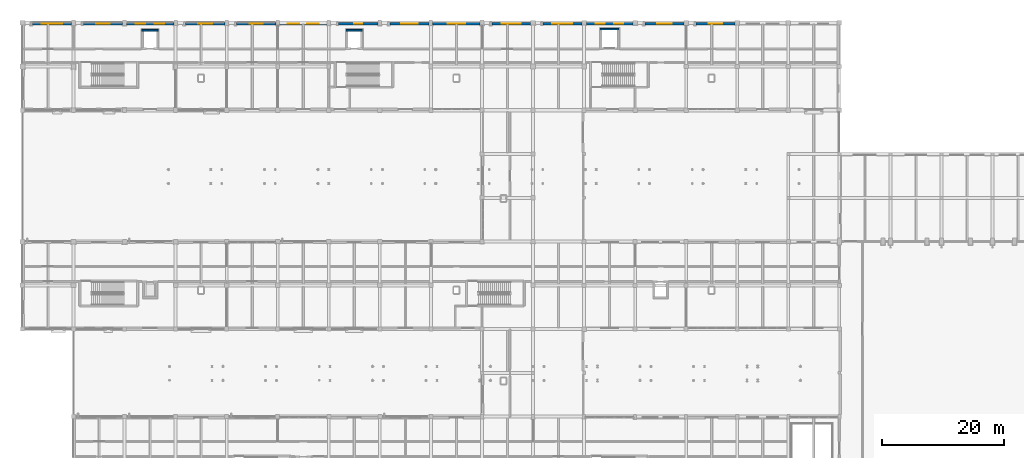
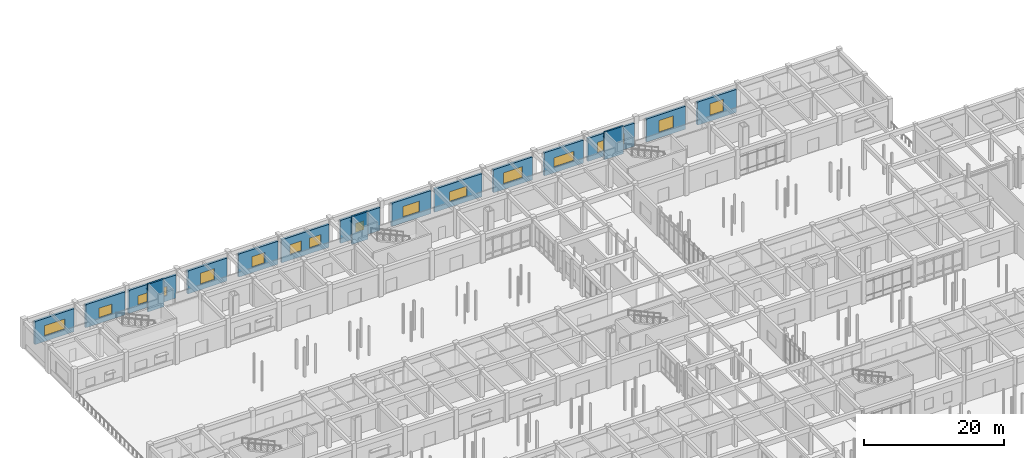
# One storey, part 89 of 121: 17 walls, 17 windows, 17 openings.
"""IFC4 building model written with IfcOpenShell, lengths in metres."""

from ifc_helpers import new_model, si_unit, direction, frame, frame_2d, origin, place, context, subcontext, project, spatial, rectangle, extrude, material, layer, layer_set, type_object, element, fill, save


model = new_model("IFC4")

# Units and contexts
model_context = context("Model", 3, precision=1e-05, world=origin(), true_north=direction((0.0, 1.0)))
body_context = subcontext(model_context, "Body", "Model", "MODEL_VIEW")
ifc_project = project(units=[si_unit("LENGTHUNIT", "METRE"), si_unit("AREAUNIT", "SQUARE_METRE"), si_unit("VOLUMEUNIT", "CUBIC_METRE"), si_unit("PLANEANGLEUNIT", "RADIAN"), si_unit("MASSUNIT", "GRAM", prefix="KILO")], contexts=[model_context])

# Site, building, storey
site_placement = place(None, origin())
site = spatial("IfcSite", under=ifc_project, at=site_placement, CompositionType="ELEMENT")
building_placement = place(site_placement, origin())
building = spatial("IfcBuilding", under=site, at=building_placement, Name="Malvenik Polytechnic", CompositionType="ELEMENT")
storey_placement = place(building_placement, origin())
storey = spatial("IfcBuildingStorey", under=building, at=storey_placement, Name="L00", CompositionType="ELEMENT", Elevation=0.0)

# Walls
ifc_material_1 = material(Name="Concrete C35/45", Category="concrete")
ifc_layer_1 = layer(ifc_material_1, 0.280029296875)
ifc_layer_set_1 = layer_set([ifc_layer_1], Name="Concrete C35/45")
wall_type_1 = type_object("IfcWallType", Name="ARC-CW-S280", PredefinedType="SHEAR", material=ifc_layer_set_1)
wall_1_placement = place(storey_placement, frame((19.659912109375, 128.35009765625, 0.0), z_axis=(0.0, 0.0, 1.0), x_axis=(1.0, 0.0, 0.0)))
element("IfcWall", 1, at=wall_1_placement, inside=storey, type_object=wall_type_1, Name="Lift Shaft Shear Wall LS-01 L00 +Y", PredefinedType="SHEAR", context=body_context, shape_type="SweptSolid", body=[
    extrude(rectangle(XDim=2.68017578125, YDim=0.280029296875, at=frame_2d((1.340087890625, 0.0))), origin(), (0.0, 0.0, 1.0), 4.820068359375),
])
wall_2_placement = place(storey_placement, frame((53.260009765625, 128.35009765625, 0.0), z_axis=(0.0, 0.0, 1.0), x_axis=(1.0, 0.0, 0.0)))
element("IfcWall", 2, at=wall_2_placement, inside=storey, type_object=wall_type_1, Name="Lift Shaft Shear Wall LS-02 L00 +Y", PredefinedType="SHEAR", context=body_context, shape_type="SweptSolid", body=[
    extrude(rectangle(XDim=2.679931640625, YDim=0.280029296875, at=frame_2d((1.33984375, 0.0))), origin(), (0.0, 0.0, 1.0), 4.820068359375),
])
wall_3_placement = place(storey_placement, frame((95.06005859375, 128.550048828125, 0.0), z_axis=(0.0, 0.0, 1.0), x_axis=(1.0, 0.0, 0.0)))
element("IfcWall", 3, at=wall_3_placement, inside=storey, type_object=wall_type_1, Name="Lift Shaft Shear Wall LG-01 L00 +Y", PredefinedType="SHEAR", context=body_context, shape_type="SweptSolid", body=[
    extrude(rectangle(XDim=3.079833984375, YDim=0.280029296875, at=frame_2d((1.5400390625, 0.0))), origin(), (0.0, 0.0, 1.0), 4.820068359375),
])

# Wall, opening, window
ifc_material_2 = material(Name="Concrete C30/37", Category="concrete")
ifc_layer_2 = layer(ifc_material_2, 0.3798828125)
ifc_layer_set_2 = layer_set([ifc_layer_2], Name="Concrete C30/37")
wall_type_2 = type_object("IfcWallType", Name="ARC-EW-380", PredefinedType="SOLIDWALL", material=ifc_layer_set_2)
wall_4_placement = place(storey_placement, frame((1.617919921875, 129.429931640625, 0.0), z_axis=(0.0, 0.0, 1.0), x_axis=(1.0, 0.0, 0.0)))
wall_4 = element("IfcWall", 4, at=wall_4_placement, inside=storey, type_object=wall_type_2, Name="External Facade Wall EW-01 L00 #83", PredefinedType="SOLIDWALL", context=body_context, shape_type="SweptSolid", body=[
    extrude(rectangle(XDim=6.484130859375, YDim=0.3798828125, at=frame_2d((3.2421875, 0.0))), origin(), (0.0, 0.0, 1.0), 4.010009765625),
])
opening_1_placement = place(wall_4_placement, frame((1.5419921875, 0.0, 0.949951171875)))
opening_1 = element("IfcOpeningElement", 5, at=opening_1_placement, cuts=wall_4, Name="Opening W-18", PredefinedType="OPENING", context=body_context, shape_type="SweptSolid", body=[
    extrude(rectangle(XDim=3.39990234375, YDim=1.800048828125, at=frame_2d((1.699951171875, 0.89990234375))), frame((0.0, 0.199951171875, 0.0), z_axis=(0.0, -1.0, 0.0), x_axis=(1.0, 0.0, 0.0)), (0.0, 0.0, 1.0), 0.39990234375),
])
ifc_material_3 = material(Name="Thermally broken aluminium frame with low-E double glazing", Category="aluminium")
window_type_1 = type_object("IfcWindowType", Name="ARC-WIN-W-18", PartitioningType="SINGLE_PANEL", PredefinedType="WINDOW", material=ifc_material_3)
window_1_placement = place(opening_1_placement, origin())
window_1 = element("IfcWindow", 6, at=window_1_placement, inside=storey, type_object=window_type_1, Name="Punched Window W-18 L00 #44", OverallHeight=1.800048828125, OverallWidth=3.39990234375, PartitioningType="SINGLE_PANEL", PredefinedType="WINDOW", context=body_context, shape_type="SweptSolid", body=[
    extrude(rectangle(XDim=3.39990234375, YDim=1.800048828125, at=frame_2d((1.699951171875, 0.89990234375))), frame((0.0, 0.030029296875, 0.0), z_axis=(0.0, -1.0, 0.0), x_axis=(1.0, 0.0, 0.0)), (0.0, 0.0, 1.0), 0.06005859375),
])
fill(opening_1, window_1)

wall_5_placement = place(storey_placement, frame((10.008056640625, 129.429931640625, 0.0), z_axis=(0.0, 0.0, 1.0), x_axis=(1.0, 0.0, 0.0)))
wall_5 = element("IfcWall", 7, at=wall_5_placement, inside=storey, type_object=wall_type_2, Name="External Facade Wall EW-01 L00 #84", PredefinedType="SOLIDWALL", context=body_context, shape_type="SweptSolid", body=[
    extrude(rectangle(XDim=6.493896484375, YDim=0.3798828125, at=frame_2d((3.2470703125, 0.0))), origin(), (0.0, 0.0, 1.0), 4.010009765625),
])
opening_2_placement = place(wall_5_placement, frame((2.14697265625, 0.0, 0.949951171875)))
opening_2 = element("IfcOpeningElement", 8, at=opening_2_placement, cuts=wall_5, Name="Opening W-19", PredefinedType="OPENING", context=body_context, shape_type="SweptSolid", body=[
    extrude(rectangle(XDim=2.199951171875, YDim=1.699951171875, at=frame_2d((1.10009765625, 0.85009765625))), frame((0.0, 0.199951171875, 0.0), z_axis=(0.0, -1.0, 0.0), x_axis=(1.0, 0.0, 0.0)), (0.0, 0.0, 1.0), 0.39990234375),
])
window_type_2 = type_object("IfcWindowType", Name="ARC-WIN-W-19", PartitioningType="SINGLE_PANEL", PredefinedType="WINDOW", material=ifc_material_3)
window_2_placement = place(opening_2_placement, origin())
window_2 = element("IfcWindow", 9, at=window_2_placement, inside=storey, type_object=window_type_2, Name="Punched Window W-19 L00 #45", OverallHeight=1.699951171875, OverallWidth=2.199951171875, PartitioningType="SINGLE_PANEL", PredefinedType="WINDOW", context=body_context, shape_type="SweptSolid", body=[
    extrude(rectangle(XDim=2.199951171875, YDim=1.699951171875, at=frame_2d((1.10009765625, 0.85009765625))), frame((0.0, 0.030029296875, 0.0), z_axis=(0.0, -1.0, 0.0), x_axis=(1.0, 0.0, 0.0)), (0.0, 0.0, 1.0), 0.06005859375),
])
fill(opening_2, window_2)

# Wall, openings, windows
wall_6_placement = place(storey_placement, frame((17.097900390625, 129.429931640625, 0.0), z_axis=(0.0, 0.0, 1.0), x_axis=(1.0, 0.0, 0.0)))
wall_6 = element("IfcWall", 10, at=wall_6_placement, inside=storey, type_object=wall_type_2, Name="External Facade Wall EW-01 L00 #85", PredefinedType="SOLIDWALL", context=body_context, shape_type="SweptSolid", body=[
    extrude(rectangle(XDim=7.80419921875, YDim=0.3798828125, at=frame_2d((3.902099609375, 0.0))), origin(), (0.0, 0.0, 1.0), 4.010009765625),
])
opening_3_placement = place(wall_6_placement, frame((1.53466796875, 0.0, 0.949951171875)))
opening_3 = element("IfcOpeningElement", 11, at=opening_3_placement, cuts=wall_6, Name="Opening W-20", PredefinedType="OPENING", context=body_context, shape_type="SweptSolid", body=[
    extrude(rectangle(XDim=1.60009765625, YDim=1.60009765625, at=frame_2d((0.800048828125, 0.800048828125))), frame((0.0, 0.199951171875, 0.0), z_axis=(0.0, -1.0, 0.0), x_axis=(1.0, 0.0, 0.0)), (0.0, 0.0, 1.0), 0.39990234375),
])
opening_4_placement = place(wall_6_placement, frame((4.66943359375, 0.0, 0.949951171875)))
opening_4 = element("IfcOpeningElement", 12, at=opening_4_placement, cuts=wall_6, Name="Opening W-20", PredefinedType="OPENING", context=body_context, shape_type="SweptSolid", body=[
    extrude(rectangle(XDim=1.60009765625, YDim=1.60009765625, at=frame_2d((0.800048828125, 0.800048828125))), frame((0.0, 0.199951171875, 0.0), z_axis=(0.0, -1.0, 0.0), x_axis=(1.0, 0.0, 0.0)), (0.0, 0.0, 1.0), 0.39990234375),
])
window_type_3 = type_object("IfcWindowType", Name="ARC-WIN-W-20", PartitioningType="SINGLE_PANEL", PredefinedType="WINDOW", material=ifc_material_3)
window_3_placement = place(opening_3_placement, origin())
window_3 = element("IfcWindow", 13, at=window_3_placement, inside=storey, type_object=window_type_3, Name="Punched Window W-20 L00 #46", OverallHeight=1.60009765625, OverallWidth=1.60009765625, PartitioningType="SINGLE_PANEL", PredefinedType="WINDOW", context=body_context, shape_type="SweptSolid", body=[
    extrude(rectangle(XDim=1.60009765625, YDim=1.60009765625, at=frame_2d((0.800048828125, 0.800048828125))), frame((0.0, 0.030029296875, 0.0), z_axis=(0.0, -1.0, 0.0), x_axis=(1.0, 0.0, 0.0)), (0.0, 0.0, 1.0), 0.06005859375),
])
fill(opening_3, window_3)
window_4_placement = place(opening_4_placement, origin())
window_4 = element("IfcWindow", 14, at=window_4_placement, inside=storey, type_object=window_type_3, Name="Punched Window W-20 L00 #47", OverallHeight=1.60009765625, OverallWidth=1.60009765625, PartitioningType="SINGLE_PANEL", PredefinedType="WINDOW", context=body_context, shape_type="SweptSolid", body=[
    extrude(rectangle(XDim=1.60009765625, YDim=1.60009765625, at=frame_2d((0.800048828125, 0.800048828125))), frame((0.0, 0.030029296875, 0.0), z_axis=(0.0, -1.0, 0.0), x_axis=(1.0, 0.0, 0.0)), (0.0, 0.0, 1.0), 0.06005859375),
])
fill(opening_4, window_4)

# Wall, opening, window
wall_7_placement = place(storey_placement, frame((26.843017578125, 129.429931640625, 0.0), z_axis=(0.0, 0.0, 1.0), x_axis=(1.0, 0.0, 0.0)))
wall_7 = element("IfcWall", 15, at=wall_7_placement, inside=storey, type_object=wall_type_2, Name="External Facade Wall EW-01 L00 #86", PredefinedType="SOLIDWALL", context=body_context, shape_type="SweptSolid", body=[
    extrude(rectangle(XDim=6.458984375, YDim=0.3798828125, at=frame_2d((3.2294921875, 0.0))), origin(), (0.0, 0.0, 1.0), 4.010009765625),
])
opening_5_placement = place(wall_7_placement, frame((2.07958984375, 0.0, 0.949951171875)))
opening_5 = element("IfcOpeningElement", 16, at=opening_5_placement, cuts=wall_7, Name="Opening W-22", PredefinedType="OPENING", context=body_context, shape_type="SweptSolid", body=[
    extrude(rectangle(XDim=2.300048828125, YDim=1.949951171875, at=frame_2d((1.14990234375, 0.97509765625))), frame((0.0, 0.199951171875, 0.0), z_axis=(0.0, -1.0, 0.0), x_axis=(1.0, 0.0, 0.0)), (0.0, 0.0, 1.0), 0.39990234375),
])
window_type_4 = type_object("IfcWindowType", Name="ARC-WIN-W-22", PartitioningType="SINGLE_PANEL", PredefinedType="WINDOW", material=ifc_material_3)
window_5_placement = place(opening_5_placement, origin())
window_5 = element("IfcWindow", 17, at=window_5_placement, inside=storey, type_object=window_type_4, Name="Punched Window W-22 L00 #48", OverallHeight=1.949951171875, OverallWidth=2.300048828125, PartitioningType="SINGLE_PANEL", PredefinedType="WINDOW", context=body_context, shape_type="SweptSolid", body=[
    extrude(rectangle(XDim=2.300048828125, YDim=1.949951171875, at=frame_2d((1.14990234375, 0.97509765625))), frame((0.0, 0.030029296875, 0.0), z_axis=(0.0, -1.0, 0.0), x_axis=(1.0, 0.0, 0.0)), (0.0, 0.0, 1.0), 0.06005859375),
])
fill(opening_5, window_5)

wall_8_placement = place(storey_placement, frame((35.218017578125, 129.429931640625, 0.0), z_axis=(0.0, 0.0, 1.0), x_axis=(1.0, 0.0, 0.0)))
wall_8 = element("IfcWall", 18, at=wall_8_placement, inside=storey, type_object=wall_type_2, Name="External Facade Wall EW-01 L00 #87", PredefinedType="SOLIDWALL", context=body_context, shape_type="SweptSolid", body=[
    extrude(rectangle(XDim=6.48388671875, YDim=0.3798828125, at=frame_2d((3.241943359375, 0.0))), origin(), (0.0, 0.0, 1.0), 4.010009765625),
])
opening_6_placement = place(wall_8_placement, frame((2.19189453125, 0.0, 0.949951171875)))
opening_6 = element("IfcOpeningElement", 19, at=opening_6_placement, cuts=wall_8, Name="Opening W-23", PredefinedType="OPENING", context=body_context, shape_type="SweptSolid", body=[
    extrude(rectangle(XDim=2.10009765625, YDim=1.85009765625, at=frame_2d((1.050048828125, 0.925048828125))), frame((0.0, 0.199951171875, 0.0), z_axis=(0.0, -1.0, 0.0), x_axis=(1.0, 0.0, 0.0)), (0.0, 0.0, 1.0), 0.39990234375),
])
window_type_5 = type_object("IfcWindowType", Name="ARC-WIN-W-23", PartitioningType="SINGLE_PANEL", PredefinedType="WINDOW", material=ifc_material_3)
window_6_placement = place(opening_6_placement, origin())
window_6 = element("IfcWindow", 20, at=window_6_placement, inside=storey, type_object=window_type_5, Name="Punched Window W-23 L00 #49", OverallHeight=1.85009765625, OverallWidth=2.10009765625, PartitioningType="SINGLE_PANEL", PredefinedType="WINDOW", context=body_context, shape_type="SweptSolid", body=[
    extrude(rectangle(XDim=2.10009765625, YDim=1.85009765625, at=frame_2d((1.050048828125, 0.925048828125))), frame((0.0, 0.030029296875, 0.0), z_axis=(0.0, -1.0, 0.0), x_axis=(1.0, 0.0, 0.0)), (0.0, 0.0, 1.0), 0.06005859375),
])
fill(opening_6, window_6)

# Wall, openings, windows
wall_9_placement = place(storey_placement, frame((42.298095703125, 129.429931640625, 0.0), z_axis=(0.0, 0.0, 1.0), x_axis=(1.0, 0.0, 0.0)))
wall_9 = element("IfcWall", 21, at=wall_9_placement, inside=storey, type_object=wall_type_2, Name="External Facade Wall EW-01 L00 #88", PredefinedType="SOLIDWALL", context=body_context, shape_type="SweptSolid", body=[
    extrude(rectangle(XDim=7.803955078125, YDim=0.3798828125, at=frame_2d((3.90185546875, 0.0))), origin(), (0.0, 0.0, 1.0), 4.010009765625),
])
opening_7_placement = place(wall_9_placement, frame((1.334716796875, 0.0, 0.949951171875)))
opening_7 = element("IfcOpeningElement", 22, at=opening_7_placement, cuts=wall_9, Name="Opening W-24", PredefinedType="OPENING", context=body_context, shape_type="SweptSolid", body=[
    extrude(rectangle(XDim=1.89990234375, YDim=1.75, at=frame_2d((0.949951171875, 0.875))), frame((0.0, 0.199951171875, 0.0), z_axis=(0.0, -1.0, 0.0), x_axis=(1.0, 0.0, 0.0)), (0.0, 0.0, 1.0), 0.39990234375),
])
opening_8_placement = place(wall_9_placement, frame((4.5693359375, 0.0, 0.949951171875)))
opening_8 = element("IfcOpeningElement", 23, at=opening_8_placement, cuts=wall_9, Name="Opening W-24", PredefinedType="OPENING", context=body_context, shape_type="SweptSolid", body=[
    extrude(rectangle(XDim=1.89990234375, YDim=1.75, at=frame_2d((0.949951171875, 0.875))), frame((0.0, 0.199951171875, 0.0), z_axis=(0.0, -1.0, 0.0), x_axis=(1.0, 0.0, 0.0)), (0.0, 0.0, 1.0), 0.39990234375),
])
window_type_6 = type_object("IfcWindowType", Name="ARC-WIN-W-24", PartitioningType="SINGLE_PANEL", PredefinedType="WINDOW", material=ifc_material_3)
window_7_placement = place(opening_7_placement, origin())
window_7 = element("IfcWindow", 24, at=window_7_placement, inside=storey, type_object=window_type_6, Name="Punched Window W-24 L00 #50", OverallHeight=1.75, OverallWidth=1.89990234375, PartitioningType="SINGLE_PANEL", PredefinedType="WINDOW", context=body_context, shape_type="SweptSolid", body=[
    extrude(rectangle(XDim=1.89990234375, YDim=1.75, at=frame_2d((0.949951171875, 0.875))), frame((0.0, 0.030029296875, 0.0), z_axis=(0.0, -1.0, 0.0), x_axis=(1.0, 0.0, 0.0)), (0.0, 0.0, 1.0), 0.06005859375),
])
fill(opening_7, window_7)
window_8_placement = place(opening_8_placement, origin())
window_8 = element("IfcWindow", 25, at=window_8_placement, inside=storey, type_object=window_type_6, Name="Punched Window W-24 L00 #51", OverallHeight=1.75, OverallWidth=1.89990234375, PartitioningType="SINGLE_PANEL", PredefinedType="WINDOW", context=body_context, shape_type="SweptSolid", body=[
    extrude(rectangle(XDim=1.89990234375, YDim=1.75, at=frame_2d((0.949951171875, 0.875))), frame((0.0, 0.030029296875, 0.0), z_axis=(0.0, -1.0, 0.0), x_axis=(1.0, 0.0, 0.0)), (0.0, 0.0, 1.0), 0.06005859375),
])
fill(opening_8, window_8)

# Wall, opening, window
wall_10_placement = place(storey_placement, frame((52.008056640625, 129.429931640625, 0.0), z_axis=(0.0, 0.0, 1.0), x_axis=(1.0, 0.0, 0.0)))
wall_10 = element("IfcWall", 26, at=wall_10_placement, inside=storey, type_object=wall_type_2, Name="External Facade Wall EW-01 L00 #89", PredefinedType="SOLIDWALL", context=body_context, shape_type="SweptSolid", body=[
    extrude(rectangle(XDim=6.493896484375, YDim=0.3798828125, at=frame_2d((3.2470703125, 0.0))), origin(), (0.0, 0.0, 1.0), 4.010009765625),
])
opening_9_placement = place(wall_10_placement, frame((2.572021484375, 0.0, 0.949951171875)))
opening_9 = element("IfcOpeningElement", 27, at=opening_9_placement, cuts=wall_10, Name="Opening W-26", PredefinedType="OPENING", context=body_context, shape_type="SweptSolid", body=[
    extrude(rectangle(XDim=1.35009765625, YDim=1.550048828125, at=frame_2d((0.675048828125, 0.77490234375))), frame((0.0, 0.199951171875, 0.0), z_axis=(0.0, -1.0, 0.0), x_axis=(1.0, 0.0, 0.0)), (0.0, 0.0, 1.0), 0.39990234375),
])
window_type_7 = type_object("IfcWindowType", Name="ARC-WIN-W-26", PartitioningType="SINGLE_PANEL", PredefinedType="WINDOW", material=ifc_material_3)
window_9_placement = place(opening_9_placement, origin())
window_9 = element("IfcWindow", 28, at=window_9_placement, inside=storey, type_object=window_type_7, Name="Punched Window W-26 L00 #52", OverallHeight=1.550048828125, OverallWidth=1.35009765625, PartitioningType="SINGLE_PANEL", PredefinedType="WINDOW", context=body_context, shape_type="SweptSolid", body=[
    extrude(rectangle(XDim=1.35009765625, YDim=1.550048828125, at=frame_2d((0.675048828125, 0.77490234375))), frame((0.0, 0.030029296875, 0.0), z_axis=(0.0, -1.0, 0.0), x_axis=(1.0, 0.0, 0.0)), (0.0, 0.0, 1.0), 0.06005859375),
])
fill(opening_9, window_9)

wall_11_placement = place(storey_placement, frame((60.443115234375, 129.429931640625, 0.0), z_axis=(0.0, 0.0, 1.0), x_axis=(1.0, 0.0, 0.0)))
wall_11 = element("IfcWall", 29, at=wall_11_placement, inside=storey, type_object=wall_type_2, Name="External Facade Wall EW-01 L00 #90", PredefinedType="SOLIDWALL", context=body_context, shape_type="SweptSolid", body=[
    extrude(rectangle(XDim=6.458984375, YDim=0.3798828125, at=frame_2d((3.2294921875, 0.0))), origin(), (0.0, 0.0, 1.0), 4.010009765625),
])
opening_10_placement = place(wall_11_placement, frame((1.87939453125, 0.0, 0.949951171875)))
opening_10 = element("IfcOpeningElement", 30, at=opening_10_placement, cuts=wall_11, Name="Opening W-27", PredefinedType="OPENING", context=body_context, shape_type="SweptSolid", body=[
    extrude(rectangle(XDim=2.699951171875, YDim=1.89990234375, at=frame_2d((1.35009765625, 0.949951171875))), frame((0.0, 0.199951171875, 0.0), z_axis=(0.0, -1.0, 0.0), x_axis=(1.0, 0.0, 0.0)), (0.0, 0.0, 1.0), 0.39990234375),
])
window_type_8 = type_object("IfcWindowType", Name="ARC-WIN-W-27", PartitioningType="SINGLE_PANEL", PredefinedType="WINDOW", material=ifc_material_3)
window_10_placement = place(opening_10_placement, origin())
window_10 = element("IfcWindow", 31, at=window_10_placement, inside=storey, type_object=window_type_8, Name="Punched Window W-27 L00 #53", OverallHeight=1.89990234375, OverallWidth=2.699951171875, PartitioningType="SINGLE_PANEL", PredefinedType="WINDOW", context=body_context, shape_type="SweptSolid", body=[
    extrude(rectangle(XDim=2.699951171875, YDim=1.89990234375, at=frame_2d((1.35009765625, 0.949951171875))), frame((0.0, 0.030029296875, 0.0), z_axis=(0.0, -1.0, 0.0), x_axis=(1.0, 0.0, 0.0)), (0.0, 0.0, 1.0), 0.06005859375),
])
fill(opening_10, window_10)

wall_12_placement = place(storey_placement, frame((67.498046875, 129.429931640625, 0.0), z_axis=(0.0, 0.0, 1.0), x_axis=(1.0, 0.0, 0.0)))
wall_12 = element("IfcWall", 32, at=wall_12_placement, inside=storey, type_object=wall_type_2, Name="External Facade Wall EW-01 L00 #91", PredefinedType="SOLIDWALL", context=body_context, shape_type="SweptSolid", body=[
    extrude(rectangle(XDim=7.803955078125, YDim=0.3798828125, at=frame_2d((3.90185546875, 0.0))), origin(), (0.0, 0.0, 1.0), 4.010009765625),
])
opening_11_placement = place(wall_12_placement, frame((2.451904296875, 0.0, 0.949951171875)))
opening_11 = element("IfcOpeningElement", 33, at=opening_11_placement, cuts=wall_12, Name="Opening W-28", PredefinedType="OPENING", context=body_context, shape_type="SweptSolid", body=[
    extrude(rectangle(XDim=2.89990234375, YDim=1.75, at=frame_2d((1.449951171875, 0.875))), frame((0.0, 0.199951171875, 0.0), z_axis=(0.0, -1.0, 0.0), x_axis=(1.0, 0.0, 0.0)), (0.0, 0.0, 1.0), 0.39990234375),
])
window_type_9 = type_object("IfcWindowType", Name="ARC-WIN-W-28", PartitioningType="SINGLE_PANEL", PredefinedType="WINDOW", material=ifc_material_3)
window_11_placement = place(opening_11_placement, origin())
window_11 = element("IfcWindow", 34, at=window_11_placement, inside=storey, type_object=window_type_9, Name="Punched Window W-28 L00 #54", OverallHeight=1.75, OverallWidth=2.89990234375, PartitioningType="SINGLE_PANEL", PredefinedType="WINDOW", context=body_context, shape_type="SweptSolid", body=[
    extrude(rectangle(XDim=2.89990234375, YDim=1.75, at=frame_2d((1.449951171875, 0.875))), frame((0.0, 0.030029296875, 0.0), z_axis=(0.0, -1.0, 0.0), x_axis=(1.0, 0.0, 0.0)), (0.0, 0.0, 1.0), 0.06005859375),
])
fill(opening_11, window_11)

wall_13_placement = place(storey_placement, frame((77.218017578125, 129.429931640625, 0.0), z_axis=(0.0, 0.0, 1.0), x_axis=(1.0, 0.0, 0.0)))
wall_13 = element("IfcWall", 35, at=wall_13_placement, inside=storey, type_object=wall_type_2, Name="External Facade Wall EW-01 L00 #92", PredefinedType="SOLIDWALL", context=body_context, shape_type="SweptSolid", body=[
    extrude(rectangle(XDim=6.408935546875, YDim=0.3798828125, at=frame_2d((3.20458984375, 0.0))), origin(), (0.0, 0.0, 1.0), 4.010009765625),
])
opening_12_placement = place(wall_13_placement, frame((1.654541015625, 0.0, 0.949951171875)))
opening_12 = element("IfcOpeningElement", 36, at=opening_12_placement, cuts=wall_13, Name="Opening W-29", PredefinedType="OPENING", context=body_context, shape_type="SweptSolid", body=[
    extrude(rectangle(XDim=3.10009765625, YDim=1.949951171875, at=frame_2d((1.550048828125, 0.97509765625))), frame((0.0, 0.199951171875, 0.0), z_axis=(0.0, -1.0, 0.0), x_axis=(1.0, 0.0, 0.0)), (0.0, 0.0, 1.0), 0.39990234375),
])
window_type_10 = type_object("IfcWindowType", Name="ARC-WIN-W-29", PartitioningType="SINGLE_PANEL", PredefinedType="WINDOW", material=ifc_material_3)
window_12_placement = place(opening_12_placement, origin())
window_12 = element("IfcWindow", 37, at=window_12_placement, inside=storey, type_object=window_type_10, Name="Punched Window W-29 L00 #55", OverallHeight=1.949951171875, OverallWidth=3.10009765625, PartitioningType="SINGLE_PANEL", PredefinedType="WINDOW", context=body_context, shape_type="SweptSolid", body=[
    extrude(rectangle(XDim=3.10009765625, YDim=1.949951171875, at=frame_2d((1.550048828125, 0.97509765625))), frame((0.0, 0.030029296875, 0.0), z_axis=(0.0, -1.0, 0.0), x_axis=(1.0, 0.0, 0.0)), (0.0, 0.0, 1.0), 0.06005859375),
])
fill(opening_12, window_12)

wall_14_placement = place(storey_placement, frame((85.60791015625, 129.429931640625, 0.0), z_axis=(0.0, 0.0, 1.0), x_axis=(1.0, 0.0, 0.0)))
wall_14 = element("IfcWall", 38, at=wall_14_placement, inside=storey, type_object=wall_type_2, Name="External Facade Wall EW-01 L00 #93", PredefinedType="SOLIDWALL", context=body_context, shape_type="SweptSolid", body=[
    extrude(rectangle(XDim=6.419189453125, YDim=0.3798828125, at=frame_2d((3.20947265625, 0.0))), origin(), (0.0, 0.0, 1.0), 4.010009765625),
])
opening_13_placement = place(wall_14_placement, frame((1.5595703125, 0.0, 0.949951171875)))
opening_13 = element("IfcOpeningElement", 39, at=opening_13_placement, cuts=wall_14, Name="Opening W-30", PredefinedType="OPENING", context=body_context, shape_type="SweptSolid", body=[
    extrude(rectangle(XDim=3.300048828125, YDim=1.64990234375, at=frame_2d((1.64990234375, 0.824951171875))), frame((0.0, 0.199951171875, 0.0), z_axis=(0.0, -1.0, 0.0), x_axis=(1.0, 0.0, 0.0)), (0.0, 0.0, 1.0), 0.39990234375),
])
window_type_11 = type_object("IfcWindowType", Name="ARC-WIN-W-30", PartitioningType="SINGLE_PANEL", PredefinedType="WINDOW", material=ifc_material_3)
window_13_placement = place(opening_13_placement, origin())
window_13 = element("IfcWindow", 40, at=window_13_placement, inside=storey, type_object=window_type_11, Name="Punched Window W-30 L00 #56", OverallHeight=1.64990234375, OverallWidth=3.300048828125, PartitioningType="SINGLE_PANEL", PredefinedType="WINDOW", context=body_context, shape_type="SweptSolid", body=[
    extrude(rectangle(XDim=3.300048828125, YDim=1.64990234375, at=frame_2d((1.64990234375, 0.824951171875))), frame((0.0, 0.030029296875, 0.0), z_axis=(0.0, -1.0, 0.0), x_axis=(1.0, 0.0, 0.0)), (0.0, 0.0, 1.0), 0.06005859375),
])
fill(opening_13, window_13)

# Wall, openings, windows
wall_15_placement = place(storey_placement, frame((92.77294921875, 129.429931640625, 0.0), z_axis=(0.0, 0.0, 1.0), x_axis=(1.0, 0.0, 0.0)))
wall_15 = element("IfcWall", 41, at=wall_15_placement, inside=storey, type_object=wall_type_2, Name="External Facade Wall EW-01 L00 #94", PredefinedType="SOLIDWALL", context=body_context, shape_type="SweptSolid", body=[
    extrude(rectangle(XDim=7.654052734375, YDim=0.3798828125, at=frame_2d((3.8271484375, 0.0))), origin(), (0.0, 0.0, 1.0), 4.010009765625),
])
opening_14_placement = place(wall_15_placement, frame((1.584716796875, 0.0, 0.949951171875)))
opening_14 = element("IfcOpeningElement", 42, at=opening_14_placement, cuts=wall_15, Name="Opening W-31", PredefinedType="OPENING", context=body_context, shape_type="SweptSolid", body=[
    extrude(rectangle(XDim=1.449951171875, YDim=1.85009765625, at=frame_2d((0.72509765625, 0.925048828125))), frame((0.0, 0.199951171875, 0.0), z_axis=(0.0, -1.0, 0.0), x_axis=(1.0, 0.0, 0.0)), (0.0, 0.0, 1.0), 0.39990234375),
])
opening_15_placement = place(wall_15_placement, frame((4.619384765625, 0.0, 0.949951171875)))
opening_15 = element("IfcOpeningElement", 43, at=opening_15_placement, cuts=wall_15, Name="Opening W-31", PredefinedType="OPENING", context=body_context, shape_type="SweptSolid", body=[
    extrude(rectangle(XDim=1.449951171875, YDim=1.85009765625, at=frame_2d((0.72509765625, 0.925048828125))), frame((0.0, 0.199951171875, 0.0), z_axis=(0.0, -1.0, 0.0), x_axis=(1.0, 0.0, 0.0)), (0.0, 0.0, 1.0), 0.39990234375),
])
window_type_12 = type_object("IfcWindowType", Name="ARC-WIN-W-31", PartitioningType="SINGLE_PANEL", PredefinedType="WINDOW", material=ifc_material_3)
window_14_placement = place(opening_14_placement, origin())
window_14 = element("IfcWindow", 44, at=window_14_placement, inside=storey, type_object=window_type_12, Name="Punched Window W-31 L00 #57", OverallHeight=1.85009765625, OverallWidth=1.449951171875, PartitioningType="SINGLE_PANEL", PredefinedType="WINDOW", context=body_context, shape_type="SweptSolid", body=[
    extrude(rectangle(XDim=1.449951171875, YDim=1.85009765625, at=frame_2d((0.72509765625, 0.925048828125))), frame((0.0, 0.030029296875, 0.0), z_axis=(0.0, -1.0, 0.0), x_axis=(1.0, 0.0, 0.0)), (0.0, 0.0, 1.0), 0.06005859375),
])
fill(opening_14, window_14)
window_15_placement = place(opening_15_placement, origin())
window_15 = element("IfcWindow", 45, at=window_15_placement, inside=storey, type_object=window_type_12, Name="Punched Window W-31 L00 #58", OverallHeight=1.85009765625, OverallWidth=1.449951171875, PartitioningType="SINGLE_PANEL", PredefinedType="WINDOW", context=body_context, shape_type="SweptSolid", body=[
    extrude(rectangle(XDim=1.449951171875, YDim=1.85009765625, at=frame_2d((0.72509765625, 0.925048828125))), frame((0.0, 0.030029296875, 0.0), z_axis=(0.0, -1.0, 0.0), x_axis=(1.0, 0.0, 0.0)), (0.0, 0.0, 1.0), 0.06005859375),
])
fill(opening_15, window_15)

# Wall, opening, window
wall_16_placement = place(storey_placement, frame((102.443115234375, 129.429931640625, 0.0), z_axis=(0.0, 0.0, 1.0), x_axis=(1.0, 0.0, 0.0)))
wall_16 = element("IfcWall", 46, at=wall_16_placement, inside=storey, type_object=wall_type_2, Name="External Facade Wall EW-01 L00 #95", PredefinedType="SOLIDWALL", context=body_context, shape_type="SweptSolid", body=[
    extrude(rectangle(XDim=6.408935546875, YDim=0.3798828125, at=frame_2d((3.20458984375, 0.0))), origin(), (0.0, 0.0, 1.0), 4.010009765625),
])
opening_16_placement = place(wall_16_placement, frame((2.00439453125, 0.0, 0.949951171875)))
opening_16 = element("IfcOpeningElement", 47, at=opening_16_placement, cuts=wall_16, Name="Opening W-01", PredefinedType="OPENING", context=body_context, shape_type="SweptSolid", body=[
    extrude(rectangle(XDim=2.39990234375, YDim=2.10009765625, at=frame_2d((1.199951171875, 1.050048828125))), frame((0.0, 0.199951171875, 0.0), z_axis=(0.0, -1.0, 0.0), x_axis=(1.0, 0.0, 0.0)), (0.0, 0.0, 1.0), 0.39990234375),
])
window_type_13 = type_object("IfcWindowType", Name="ARC-WIN-W-01", PartitioningType="SINGLE_PANEL", PredefinedType="WINDOW", material=ifc_material_3)
window_16_placement = place(opening_16_placement, origin())
window_16 = element("IfcWindow", 48, at=window_16_placement, inside=storey, type_object=window_type_13, Name="Punched Window W-01 L00 #59", OverallHeight=2.10009765625, OverallWidth=2.39990234375, PartitioningType="SINGLE_PANEL", PredefinedType="WINDOW", context=body_context, shape_type="SweptSolid", body=[
    extrude(rectangle(XDim=2.39990234375, YDim=2.10009765625, at=frame_2d((1.199951171875, 1.050048828125))), frame((0.0, 0.030029296875, 0.0), z_axis=(0.0, -1.0, 0.0), x_axis=(1.0, 0.0, 0.0)), (0.0, 0.0, 1.0), 0.06005859375),
])
fill(opening_16, window_16)

wall_17_placement = place(storey_placement, frame((110.818115234375, 129.429931640625, 0.0), z_axis=(0.0, 0.0, 1.0), x_axis=(1.0, 0.0, 0.0)))
wall_17 = element("IfcWall", 49, at=wall_17_placement, inside=storey, type_object=wall_type_2, Name="External Facade Wall EW-01 L00 #96", PredefinedType="SOLIDWALL", context=body_context, shape_type="SweptSolid", body=[
    extrude(rectangle(XDim=6.433837890625, YDim=0.3798828125, at=frame_2d((3.216796875, 0.0))), origin(), (0.0, 0.0, 1.0), 4.010009765625),
])
opening_17_placement = place(wall_17_placement, frame((2.116943359375, 0.0, 0.949951171875)))
opening_17 = element("IfcOpeningElement", 50, at=opening_17_placement, cuts=wall_17, Name="Opening W-02", PredefinedType="OPENING", context=body_context, shape_type="SweptSolid", body=[
    extrude(rectangle(XDim=2.199951171875, YDim=2.10009765625, at=frame_2d((1.10009765625, 1.050048828125))), frame((0.0, 0.199951171875, 0.0), z_axis=(0.0, -1.0, 0.0), x_axis=(1.0, 0.0, 0.0)), (0.0, 0.0, 1.0), 0.39990234375),
])
window_type_14 = type_object("IfcWindowType", Name="ARC-WIN-W-02", PartitioningType="SINGLE_PANEL", PredefinedType="WINDOW", material=ifc_material_3)
window_17_placement = place(opening_17_placement, origin())
window_17 = element("IfcWindow", 51, at=window_17_placement, inside=storey, type_object=window_type_14, Name="Punched Window W-02 L00 #60", OverallHeight=2.10009765625, OverallWidth=2.199951171875, PartitioningType="SINGLE_PANEL", PredefinedType="WINDOW", context=body_context, shape_type="SweptSolid", body=[
    extrude(rectangle(XDim=2.199951171875, YDim=2.10009765625, at=frame_2d((1.10009765625, 1.050048828125))), frame((0.0, 0.030029296875, 0.0), z_axis=(0.0, -1.0, 0.0), x_axis=(1.0, 0.0, 0.0)), (0.0, 0.0, 1.0), 0.06005859375),
])
fill(opening_17, window_17)

save(model, "model.ifc")
